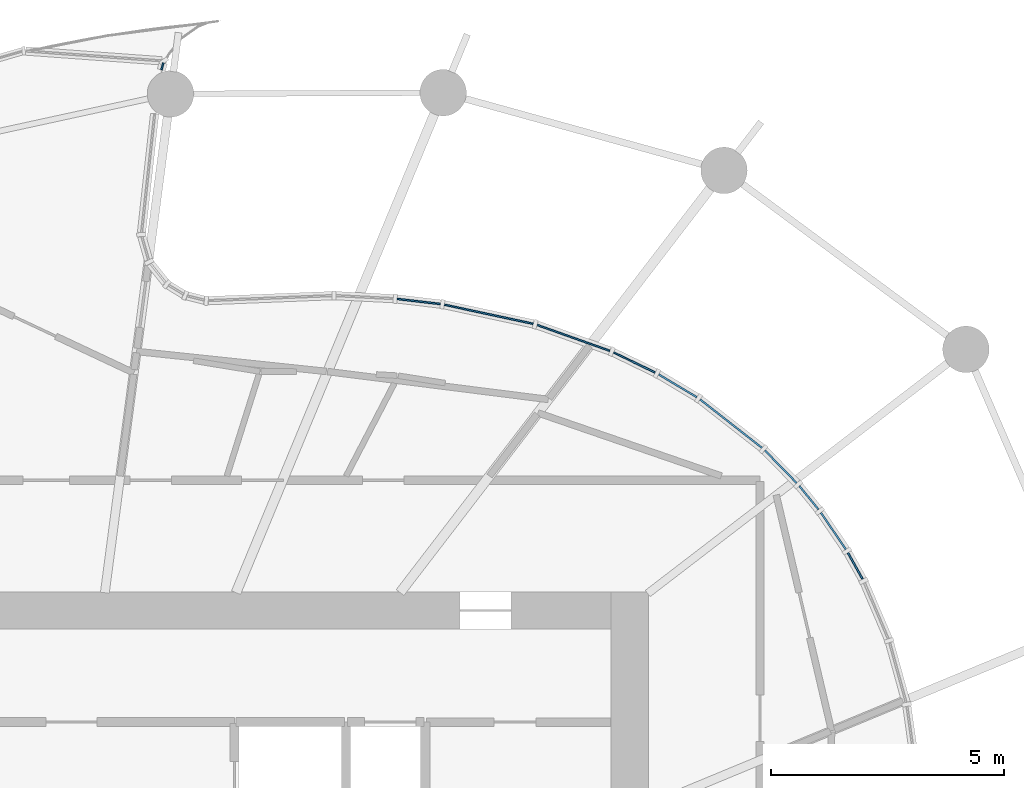
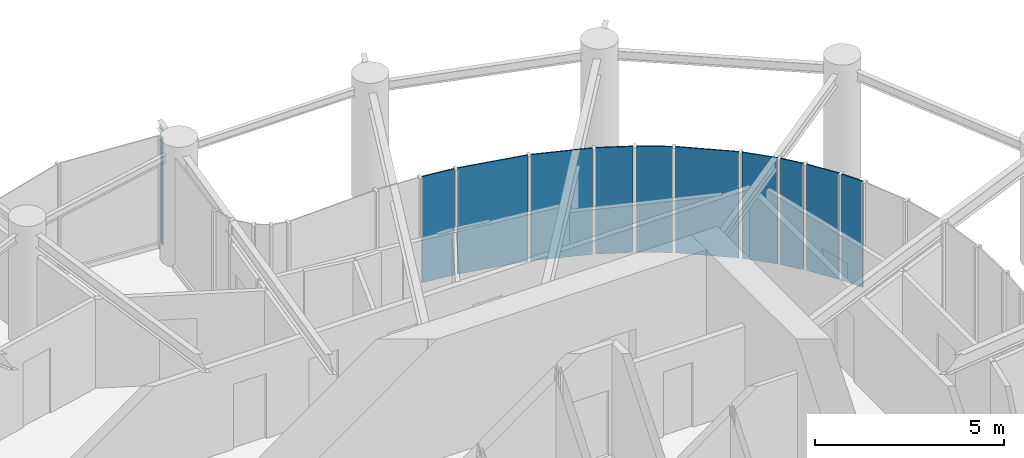
# One storey, part 12 of 19: 11 plates, 4 elements without a shape of their own.
"""IFC4 building model written with IfcOpenShell, lengths in metres."""

from ifc_helpers import new_model, si_unit, direction, frame, origin, origin_2d, place, context, subcontext, project, spatial, rectangle, extrude, source, transform, mapped, material, layer, layer_set, type_object, element, aggregate, save


model = new_model("IFC4")

# Units and contexts
model_context = context("Model", 3, precision=1e-05, world=origin(), true_north=direction((0.0, 1.0)))
body_context = subcontext(model_context, "Body", "Model", "MODEL_VIEW")
ifc_project = project(units=[si_unit("LENGTHUNIT", "METRE"), si_unit("AREAUNIT", "SQUARE_METRE"), si_unit("VOLUMEUNIT", "CUBIC_METRE"), si_unit("PLANEANGLEUNIT", "RADIAN"), si_unit("MASSUNIT", "GRAM", prefix="KILO")], contexts=[model_context])

# Site, building, storey
site_placement = place(None, origin())
site = spatial("IfcSite", under=ifc_project, at=site_placement, CompositionType="ELEMENT")
building_placement = place(site_placement, origin())
building = spatial("IfcBuilding", under=site, at=building_placement, Name="Spindrift Exchange Tower", CompositionType="ELEMENT")
storey_placement = place(building_placement, frame((0.0, 0.0, 137.0)))
storey = spatial("IfcBuildingStorey", under=building, at=storey_placement, Name="L32", CompositionType="ELEMENT", Elevation=137.0)

# Curtain wall, plate
ifc_material_1 = material(Name="Fritted laminated glass with bronze frame", Category="glass")
ifc_layer_1 = layer(ifc_material_1, 0.199951171875)
ifc_layer_set_1 = layer_set([ifc_layer_1], Name="SKY GARDEN BRONZE GLAZED WALL")
curtain_wall_type = type_object("IfcCurtainWallType", Name="SKY GARDEN BRONZE GLAZED WALL", PredefinedType="NOTDEFINED", material=ifc_layer_set_1)
curtain_wall_1_placement = place(storey_placement, origin())
curtain_wall_1 = element("IfcCurtainWall", 1, at=curtain_wall_1_placement, inside=storey, type_object=curtain_wall_type, Name="L32 Sky Garden Bronze Glazed Wall run 8", PredefinedType="NOTDEFINED")
ifc_material_2 = material(Name="Bronze tinted laminated glass, clear vision", Category="glass")
ifc_layer_2 = layer(ifc_material_2, 0.0380859375)
ifc_layer_set_2 = layer_set([ifc_layer_2], Name="SKY GARDEN BRONZE GLAZED WALL PANEL CLEAR 1200")
plate_type_1 = type_object("IfcPlateType", Name="SKY GARDEN BRONZE GLAZED WALL PANEL CLEAR 1200", PredefinedType="CURTAIN_PANEL", material=ifc_layer_set_2)
shared_shape_1 = source(origin(), body_context, "Body", "SweptSolid", [
    extrude(rectangle(XDim=0.651123046875, YDim=0.0380859375, at=origin_2d()), origin(), (0.0, 0.0, 1.0), 3.429931640625),
])
plate_1_placement = place(storey_placement, frame((69.447265625, 58.555419921875, 0.14990234375), z_axis=(0.0, 0.0, 1.0), x_axis=(-0.486600711511, 0.873624488872, 0.0)))
plate_1 = element("IfcPlate", 2, at=plate_1_placement, type_object=plate_type_1, Name="L32 panel CW-G.44", PredefinedType="CURTAIN_PANEL", context=body_context, shape_type="MappedRepresentation", body=[
    mapped(shared_shape_1, transform((0.0, 0.0, 0.0), scale=1.0)),
])

# Curtain wall, plates
curtain_wall_2_placement = place(storey_placement, origin())
curtain_wall_2 = element("IfcCurtainWall", 3, at=curtain_wall_2_placement, inside=storey, type_object=curtain_wall_type, Name="L32 Sky Garden Bronze Glazed Wall run 9", PredefinedType="NOTDEFINED")
plate_2_placement = place(storey_placement, frame((68.450927734375, 60.0224609375, 0.14990234375), z_axis=(0.0, 0.0, 1.0), x_axis=(-0.63263098929, 0.774453375866, 0.0)))
plate_2 = element("IfcPlate", 4, at=plate_2_placement, type_object=plate_type_1, Name="L32 panel CW-G.46", PredefinedType="CURTAIN_PANEL", context=body_context, shape_type="MappedRepresentation", body=[
    mapped(shared_shape_1, transform((0.0, 0.0, 0.0), scale=1.0)),
])
ifc_layer_3 = layer(ifc_material_2, 0.0380859375)
ifc_layer_set_3 = layer_set([ifc_layer_3], Name="SKY GARDEN BRONZE GLAZED WALL PANEL CLEAR 1560")
plate_type_2 = type_object("IfcPlateType", Name="SKY GARDEN BRONZE GLAZED WALL PANEL CLEAR 1560", PredefinedType="CURTAIN_PANEL", material=ifc_layer_set_3)
shared_shape_2 = source(origin(), body_context, "Body", "SweptSolid", [
    extrude(rectangle(XDim=0.980224609375, YDim=0.0380859375, at=origin_2d()), origin(), (0.0, 0.0, 1.0), 3.429931640625),
])
plate_3_placement = place(storey_placement, frame((67.84619140625, 60.688720703125, 0.14990234375), z_axis=(0.0, 0.0, 1.0), x_axis=(-0.698417783666, 0.71569029577, 0.0)))
plate_3 = element("IfcPlate", 5, at=plate_3_placement, type_object=plate_type_2, Name="L32 panel CW-G.47", PredefinedType="CURTAIN_PANEL", context=body_context, shape_type="MappedRepresentation", body=[
    mapped(shared_shape_2, transform((0.0, 0.0, 0.0), scale=1.0)),
])

# Curtain wall, plate
curtain_wall_3_placement = place(storey_placement, origin())
curtain_wall_3 = element("IfcCurtainWall", 6, at=curtain_wall_3_placement, inside=storey, type_object=curtain_wall_type, Name="L32 Sky Garden Bronze Glazed Wall run 10", PredefinedType="NOTDEFINED")
shared_shape_3 = source(origin(), body_context, "Body", "SweptSolid", [
    extrude(rectangle(XDim=0.93701171875, YDim=0.0380859375, at=origin_2d()), origin(), (0.0, 0.0, 1.0), 3.429931640625),
])
plate_4_placement = place(storey_placement, frame((60.062744140625, 64.2421875, 0.14990234375), z_axis=(0.0, 0.0, 1.0), x_axis=(-0.993117808196, 0.117119678299, 0.0)))
plate_4 = element("IfcPlate", 7, at=plate_4_placement, type_object=plate_type_1, Name="L32 panel CW-G.53", PredefinedType="CURTAIN_PANEL", context=body_context, shape_type="MappedRepresentation", body=[
    mapped(shared_shape_3, transform((0.0, 0.0, 0.0), scale=1.0)),
])

# Plate
ifc_layer_4 = layer(ifc_material_2, 0.0380859375)
ifc_layer_set_4 = layer_set([ifc_layer_4], Name="SKY GARDEN BRONZE GLAZED WALL PANEL CLEAR 1920")
plate_type_3 = type_object("IfcPlateType", Name="SKY GARDEN BRONZE GLAZED WALL PANEL CLEAR 1920", PredefinedType="CURTAIN_PANEL", material=ifc_layer_set_4)
shared_shape_4 = source(origin(), body_context, "Body", "SweptSolid", [
    extrude(rectangle(XDim=0.954833984375, YDim=0.0380859375, at=origin_2d()), origin(), (0.0, 0.0, 1.0), 3.429931640625),
])
plate_5_placement = place(storey_placement, frame((68.97607421875, 59.30712890625, 0.14990234375), z_axis=(0.0, 0.0, 1.0), x_axis=(-0.561781643128, 0.827285552542, 0.0)))
plate_5 = element("IfcPlate", 8, at=plate_5_placement, type_object=plate_type_3, Name="L32 panel CW-G.45", PredefinedType="CURTAIN_PANEL", context=body_context, shape_type="MappedRepresentation", body=[
    mapped(shared_shape_4, transform((0.0, 0.0, 0.0), scale=1.0)),
])

aggregate(curtain_wall_1, [plate_1, plate_5])

shared_shape_5 = source(origin(), body_context, "Body", "SweptSolid", [
    extrude(rectangle(XDim=1.68798828125, YDim=0.0380859375, at=origin_2d()), origin(), (0.0, 0.0, 1.0), 3.429931640625),
])
plate_6_placement = place(storey_placement, frame((66.77587890625, 61.615966796875, 0.14990234375), z_axis=(0.0, 0.0, 1.0), x_axis=(-0.787721617666, 0.61603137344, 0.0)))
plate_6 = element("IfcPlate", 9, at=plate_6_placement, type_object=plate_type_1, Name="L32 panel CW-G.48", PredefinedType="CURTAIN_PANEL", context=body_context, shape_type="MappedRepresentation", body=[
    mapped(shared_shape_5, transform((0.0, 0.0, 0.0), scale=1.0)),
])

shared_shape_6 = source(origin(), body_context, "Body", "SweptSolid", [
    extrude(rectangle(XDim=0.955810546875, YDim=0.0380859375, at=origin_2d()), origin(), (0.0, 0.0, 1.0), 3.429931640625),
])
plate_7_placement = place(storey_placement, frame((65.630859375, 62.4287109375, 0.14990234375), z_axis=(0.0, 0.0, 1.0), x_axis=(-0.858559264237, 0.512714335466, 0.0)))
plate_7 = element("IfcPlate", 10, at=plate_7_placement, type_object=plate_type_1, Name="L32 panel CW-G.49", PredefinedType="CURTAIN_PANEL", context=body_context, shape_type="MappedRepresentation", body=[
    mapped(shared_shape_6, transform((0.0, 0.0, 0.0), scale=1.0)),
])

shared_shape_7 = source(origin(), body_context, "Body", "SweptSolid", [
    extrude(rectangle(XDim=0.994384765625, YDim=0.0380859375, at=origin_2d()), origin(), (0.0, 0.0, 1.0), 3.429931640625),
])
plate_8_placement = place(storey_placement, frame((64.697998046875, 62.9306640625, 0.14990234375), z_axis=(0.0, 0.0, 1.0), x_axis=(-0.900242795533, 0.435388228011, 0.0)))
plate_8 = element("IfcPlate", 11, at=plate_8_placement, type_object=plate_type_2, Name="L32 panel CW-G.50", PredefinedType="CURTAIN_PANEL", context=body_context, shape_type="MappedRepresentation", body=[
    mapped(shared_shape_7, transform((0.0, 0.0, 0.0), scale=1.0)),
])

shared_shape_8 = source(origin(), body_context, "Body", "SweptSolid", [
    extrude(rectangle(XDim=1.662109375, YDim=0.0380859375, at=origin_2d()), origin(), (0.0, 0.0, 1.0), 3.429931640625),
])
plate_9_placement = place(storey_placement, frame((63.389404296875, 63.458984375, 0.14990234375), z_axis=(0.0, 0.0, 1.0), x_axis=(-0.941938542554, 0.335785321376, 0.0)))
plate_9 = element("IfcPlate", 12, at=plate_9_placement, type_object=plate_type_2, Name="L32 panel CW-G.51", PredefinedType="CURTAIN_PANEL", context=body_context, shape_type="MappedRepresentation", body=[
    mapped(shared_shape_8, transform((0.0, 0.0, 0.0), scale=1.0)),
])

aggregate(curtain_wall_2, [plate_2, plate_3, plate_6, plate_7, plate_8, plate_9])

shared_shape_9 = source(origin(), body_context, "Body", "SweptSolid", [
    extrude(rectangle(XDim=1.95703125, YDim=0.0380859375, at=origin_2d()), origin(), (0.0, 0.0, 1.0), 3.429931640625),
])
plate_10_placement = place(storey_placement, frame((61.568359375, 63.96728515625, 0.14990234375), z_axis=(0.0, 0.0, 1.0), x_axis=(-0.977566864878, 0.210625318263, 0.0)))
plate_10 = element("IfcPlate", 13, at=plate_10_placement, type_object=plate_type_2, Name="L32 panel CW-G.52", PredefinedType="CURTAIN_PANEL", context=body_context, shape_type="MappedRepresentation", body=[
    mapped(shared_shape_9, transform((0.0, 0.0, 0.0), scale=1.0)),
])

aggregate(curtain_wall_3, [plate_10, plate_4])

# Curtain wall, plate
curtain_wall_4_placement = place(storey_placement, origin())
curtain_wall_4 = element("IfcCurtainWall", 14, at=curtain_wall_4_placement, inside=storey, type_object=curtain_wall_type, Name="L32 Sky Garden Bronze Glazed Wall run 11", PredefinedType="NOTDEFINED")
shared_shape_10 = source(origin(), body_context, "Body", "SweptSolid", [
    extrude(rectangle(XDim=0.15478515625, YDim=0.0380859375, at=origin_2d()), origin(), (0.0, 0.0, 1.0), 3.429931640625),
])
plate_11_placement = place(storey_placement, frame((54.55078125, 69.29638671875, 0.14990234375), z_axis=(0.0, 0.0, 1.0), x_axis=(0.263470677624, 0.964667404877, 0.0)))
plate_11 = element("IfcPlate", 15, at=plate_11_placement, type_object=plate_type_3, Name="L32 panel CW-G.61", PredefinedType="CURTAIN_PANEL", context=body_context, shape_type="MappedRepresentation", body=[
    mapped(shared_shape_10, transform((0.0, 0.0, 0.0), scale=1.0)),
])
aggregate(curtain_wall_4, [plate_11])

save(model, "model.ifc")
